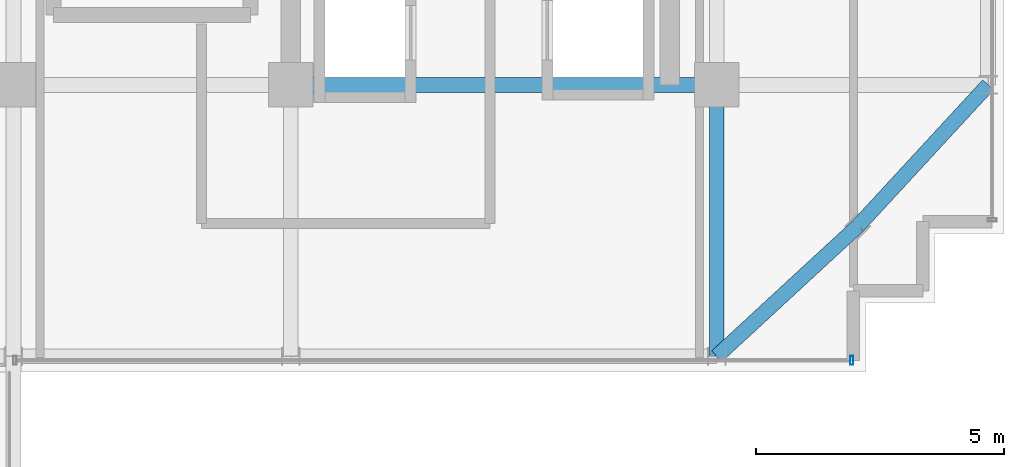
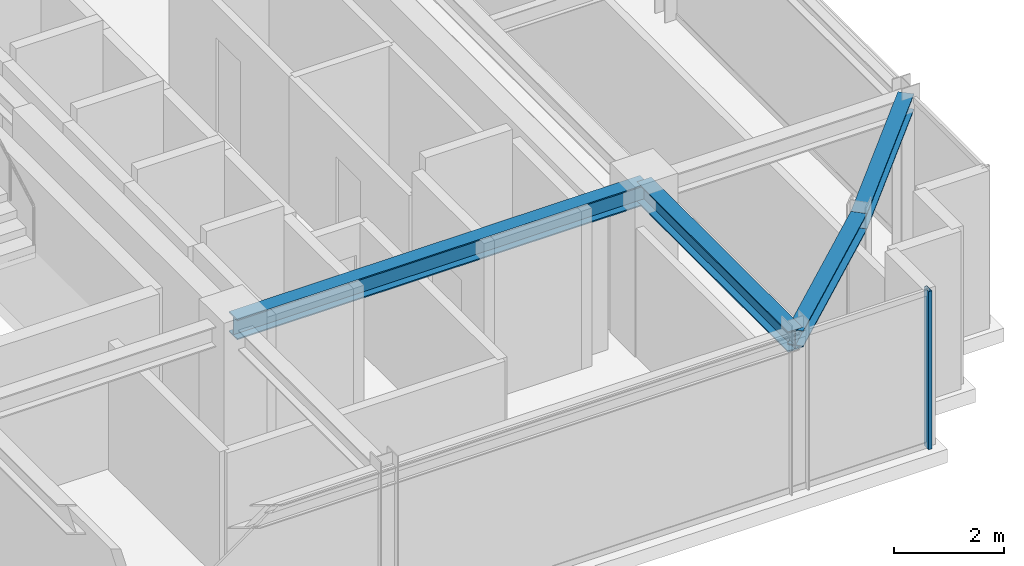
# One storey, part 12 of 31: 4 beams, 1 member, 1 element without a shape of its own.
"""IFC4 building model written with IfcOpenShell, lengths in metres."""

import ifcopenshell
import ifcopenshell.guid

model = None  # the IFC model being written
_history = None  # IfcOwnerHistory: only IFC2X3 demands one
_inside = {}  # id of a spatial element -> (the spatial element, [elements in it])
_under = {}  # id of a project, library or spatial element -> (it, [spatial elements below it])
_declared = {}  # id of a project -> (the project, [libraries it declares])
_typed = {}  # id of a type object -> (the type object, [elements of that type])
_made_of = {}  # id of a material, layer set ... -> (it, [elements and type objects made of it])


def new_model(schema):
    """Start an empty IFC model of exactly this schema.

    Asked for "IFC4X3", IfcOpenShell would pick the latest addendum, in which some entities
    have other attributes; the version numbers below select the first issue.
    IFC2X3 requires an IfcOwnerHistory on every rooted entity: one is made here for all.
    """
    global model, _history
    if schema == "IFC4X3":
        model = ifcopenshell.file(schema_version=(4, 3, 0, 0))
    else:
        model = ifcopenshell.file(schema=schema)
    _inside.clear()
    _under.clear()
    _declared.clear()
    _typed.clear()
    _made_of.clear()
    _history = None
    if model.schema == "IFC2X3":
        org = make("IfcOrganization", Name="unknown")
        user = make(
            "IfcPersonAndOrganization",
            ThePerson=make("IfcPerson", FamilyName="unknown"),
            TheOrganization=org,
        )
        app = make(
            "IfcApplication",
            ApplicationDeveloper=org,
            Version="unknown",
            ApplicationFullName="unknown",
            ApplicationIdentifier="unknown",
        )
        _history = make(
            "IfcOwnerHistory",
            OwningUser=user,
            OwningApplication=app,
            ChangeAction="ADDED",
            CreationDate=0,
        )
    return model


def make(cls, **values):
    """One entity of the class cls with the attributes given. An attribute that is None is left unset."""
    return model.create_entity(
        cls, **{name: value for name, value in values.items() if value is not None}
    )


def rooted(cls, **values):
    """An entity with a GlobalId (a new one), such as an element, a storey or a relation."""
    return make(cls, GlobalId=ifcopenshell.guid.new(), OwnerHistory=_history, **values)


def si_unit(unit_type, name, prefix=None):
    """IfcSIUnit, for example si_unit("LENGTHUNIT", "METRE", prefix="MILLI")."""
    return make("IfcSIUnit", UnitType=unit_type, Prefix=prefix, Name=name)


def assignment(units):
    """IfcUnitAssignment: the units of a project."""
    return None if units is None else make("IfcUnitAssignment", Units=units)


def point(xyz):
    """IfcCartesianPoint."""
    return None if xyz is None else make("IfcCartesianPoint", Coordinates=xyz)


def direction(xyz):
    """IfcDirection."""
    return None if xyz is None else make("IfcDirection", DirectionRatios=xyz)


def frame(location, z_axis=None, x_axis=None):
    """IfcAxis2Placement3D, a coordinate frame: its origin and axes. An axis left out is left unset."""
    return make(
        "IfcAxis2Placement3D",
        Location=point(location),
        Axis=direction(z_axis),
        RefDirection=direction(x_axis),
    )


def frame_2d(location, x_axis=None):
    """IfcAxis2Placement2D, a coordinate frame in the plane: its origin and x axis."""
    return make(
        "IfcAxis2Placement2D", Location=point(location), RefDirection=direction(x_axis)
    )


def origin():
    """The frame at (0, 0, 0) with its axes left unset."""
    return frame((0.0, 0.0, 0.0))


def origin_2d():
    """The frame at (0, 0) in the plane with its x axis left unset."""
    return frame_2d((0.0, 0.0))


def place(relative_to, where):
    """IfcLocalPlacement: puts the frame where relative to a parent placement (None: the world)."""
    return make(
        "IfcLocalPlacement", PlacementRelTo=relative_to, RelativePlacement=where
    )


def context(
    kind, dimensions, precision=None, world=None, true_north=None, identifier=None
):
    """IfcGeometricRepresentationContext, for example the 3D "Model" context."""
    return make(
        "IfcGeometricRepresentationContext",
        ContextIdentifier=identifier,
        ContextType=kind,
        CoordinateSpaceDimension=dimensions,
        Precision=precision,
        WorldCoordinateSystem=world,
        TrueNorth=true_north,
    )


def subcontext(parent, identifier, kind, view, scale=None):
    """IfcGeometricRepresentationSubContext, for example "Body" below "Model"."""
    return make(
        "IfcGeometricRepresentationSubContext",
        ContextIdentifier=identifier,
        ContextType=kind,
        ParentContext=parent,
        TargetScale=scale,
        TargetView=view,
    )


def project(units=None, contexts=None):
    """IfcProject with its units and contexts."""
    return rooted(
        "IfcProject",
        Name="project",
        RepresentationContexts=contexts,
        UnitsInContext=assignment(units),
    )


def spatial(cls, under=None, at=None, **own):
    """A site, building, storey or space (cls), placed at a placement, below another one or the project."""
    s = rooted(cls, ObjectPlacement=at, **own)
    if under is not None:
        _under.setdefault(under.id(), (under, []))[1].append(s)
    return s


def profile(cls, at=None, kind="AREA", **sizes):
    """A parametric profile (cls). Its sizes go by their IFC names, for example OverallWidth=200.0."""
    return make(cls, ProfileType=kind, Position=at, **sizes)


def hollow_rectangle(**sizes):
    """IfcRectangleHollowProfileDef."""
    return profile("IfcRectangleHollowProfileDef", **sizes)


def i_section(**sizes):
    """IfcIShapeProfileDef."""
    return profile("IfcIShapeProfileDef", **sizes)


def extrude(swept, where, along, depth):
    """IfcExtrudedAreaSolid: the profile swept, set in the frame where, extruded along a direction by depth."""
    return make(
        "IfcExtrudedAreaSolid",
        SweptArea=swept,
        Position=where,
        ExtrudedDirection=direction(along),
        Depth=depth,
    )


def shape(context_of_items, identifier, shape_type, items):
    """IfcShapeRepresentation: the items that make up one representation, for example the "Body"."""
    return make(
        "IfcShapeRepresentation",
        ContextOfItems=context_of_items,
        RepresentationIdentifier=identifier,
        RepresentationType=shape_type,
        Items=items,
    )


def source(mapping_origin, context_of_items, identifier, shape_type, items):
    """IfcRepresentationMap: a shape defined once, which mapped items show again and again."""
    return make(
        "IfcRepresentationMap",
        MappingOrigin=mapping_origin,
        MappedRepresentation=shape(context_of_items, identifier, shape_type, items),
    )


def transform(
    local_origin,
    x_axis=None,
    y_axis=None,
    z_axis=None,
    scale=None,
    scale2=None,
    scale3=None,
    uniform=True,
):
    """IfcCartesianTransformationOperator3D, or its non-uniform kind. x_axis, y_axis, z_axis: its Axis1, 2, 3."""
    if uniform:
        return make(
            "IfcCartesianTransformationOperator3D",
            Axis1=direction(x_axis),
            Axis2=direction(y_axis),
            LocalOrigin=point(local_origin),
            Scale=scale,
            Axis3=direction(z_axis),
        )
    return make(
        "IfcCartesianTransformationOperator3DnonUniform",
        Axis1=direction(x_axis),
        Axis2=direction(y_axis),
        LocalOrigin=point(local_origin),
        Scale=scale,
        Axis3=direction(z_axis),
        Scale2=scale2,
        Scale3=scale3,
    )


def mapped(mapping_source, mapping_target):
    """IfcMappedItem: shows the shape of a source again, moved by a transform."""
    return make(
        "IfcMappedItem", MappingSource=mapping_source, MappingTarget=mapping_target
    )


def material(Name=None, Category=None):
    """IfcMaterial."""
    return make("IfcMaterial", Name=Name, Category=Category)


def material_profile(
    of_material, cross_section, Name=None, Category=None, Priority=None
):
    """IfcMaterialProfile: a cross section and its material."""
    return make(
        "IfcMaterialProfile",
        Name=Name,
        Material=of_material,
        Profile=cross_section,
        Priority=Priority,
        Category=Category,
    )


def profile_set(profiles, Name=None, composite=None):
    """IfcMaterialProfileSet."""
    return make(
        "IfcMaterialProfileSet",
        Name=Name,
        MaterialProfiles=profiles,
        CompositeProfile=composite,
    )


def made_of(thing, what):
    """Note that an element or type object is made of a material, layer set ...; save() writes the relation."""
    if what is not None:
        _made_of.setdefault(what.id(), (what, []))[1].append(thing)
    return thing


def type_object(cls, material=None, **own):
    """A type object (cls), such as IfcWallType, which elements share."""
    return made_of(rooted(cls, **own), material)


def element(
    cls,
    number,
    at=None,
    inside=None,
    cuts=None,
    type_object=None,
    material=None,
    context=None,
    identifier="Body",
    shape_type=None,
    held_by="IfcProductDefinitionShape",
    body=None,
    shapes=None,
    **own,
):
    """One element of the class cls, such as IfcWall. Its Tag is "e" and its number.

    at: its placement. inside: the storey or other place that contains it. cuts: it is an
    opening in that element (IfcRelVoidsElement). A single representation is given by context,
    identifier, shape_type and body (its items); several are given by shapes. held_by: the class
    of the entity that holds the representations. save() writes the other relations.
    """
    e = rooted(cls, Tag="e%d" % number, ObjectPlacement=at, **own)
    if body is not None:
        shapes = [shape(context, identifier, shape_type, body)]
    if shapes is not None:
        e.Representation = make(held_by, Representations=shapes)
    if inside is not None:
        _inside.setdefault(inside.id(), (inside, []))[1].append(e)
    if cuts is not None:
        rooted(
            "IfcRelVoidsElement", RelatingBuildingElement=cuts, RelatedOpeningElement=e
        )
    if type_object is not None:
        _typed.setdefault(type_object.id(), (type_object, []))[1].append(e)
    return made_of(e, material)


def aggregate(whole, parts):
    """IfcRelAggregates: a whole, such as a stair, and the parts it consists of."""
    return rooted("IfcRelAggregates", RelatingObject=whole, RelatedObjects=parts)


def save(model, path):
    """Write the relations noted so far, then the file.

    IfcRelAggregates (storeys below a building ...), IfcRelContainedInSpatialStructure (elements
    in a storey), IfcRelDefinesByType, IfcRelAssociatesMaterial and IfcRelDeclares: one each for
    every whole, place, type object, material and project.
    """
    for whole, parts in _under.values():
        aggregate(whole, parts)
    for where, things in _inside.values():
        rooted(
            "IfcRelContainedInSpatialStructure",
            RelatedElements=things,
            RelatingStructure=where,
        )
    for kind, things in _typed.values():
        rooted("IfcRelDefinesByType", RelatedObjects=things, RelatingType=kind)
    for what, things in _made_of.values():
        rooted("IfcRelAssociatesMaterial", RelatedObjects=things, RelatingMaterial=what)
    for by, libraries in _declared.values():
        rooted("IfcRelDeclares", RelatingContext=by, RelatedDefinitions=libraries)
    model.write(path)


model = new_model("IFC4")

# Units and contexts
model_context = context("Model", 3, precision=1e-05, world=origin(), true_north=direction((0.0, 1.0)))
body_context = subcontext(model_context, "Body", "Model", "MODEL_VIEW")
ifc_project = project(units=[si_unit("LENGTHUNIT", "METRE"), si_unit("AREAUNIT", "SQUARE_METRE"), si_unit("VOLUMEUNIT", "CUBIC_METRE"), si_unit("PLANEANGLEUNIT", "RADIAN"), si_unit("MASSUNIT", "GRAM", prefix="KILO")], contexts=[model_context])

# Site, building, storey
site_placement = place(None, origin())
site = spatial("IfcSite", under=ifc_project, at=site_placement, CompositionType="ELEMENT")
building_placement = place(site_placement, origin())
building = spatial("IfcBuilding", under=site, at=building_placement, Name="Nahalor Promenade Grand Hotel", CompositionType="ELEMENT")
storey_placement = place(building_placement, frame((0.0, 0.0, 323.35009765625)))
storey = spatial("IfcBuildingStorey", under=building, at=storey_placement, Name="L83", CompositionType="ELEMENT", Elevation=323.35009765625)

# Beams
ifc_material_1 = material(Name="Steel S355JR", Category="steel")
ifc_material_profile_1 = material_profile(ifc_material_1, i_section(OverallWidth=0.3, OverallDepth=0.45, WebThickness=0.014, FlangeThickness=0.026, at=origin_2d()), Name="HEB 450")
ifc_profile_set_1 = profile_set([ifc_material_profile_1], Name="Steel S355JR")
beam_type_1 = type_object("IfcBeamType", Name="Beam-Girder-HEB450", PredefinedType="BEAM", material=ifc_profile_set_1)
shared_shape_1 = source(origin(), body_context, "Body", "SweptSolid", [
    extrude(i_section(OverallWidth=0.3, OverallDepth=0.45, WebThickness=0.014, FlangeThickness=0.026, at=origin_2d()), origin(), (0.0, 0.0, 1.0), 8.60009765625),
])
beam_1_placement = place(storey_placement, frame((8.39990234375, -17.0, 3.27490234375), z_axis=(1.0, 0.0, 0.0), x_axis=(0.0, 1.0, 0.0)))
element("IfcBeam", 1, at=beam_1_placement, inside=storey, type_object=beam_type_1, Name="BM-L83-GX-0-5", PredefinedType="BEAM", context=body_context, shape_type="MappedRepresentation", body=[
    mapped(shared_shape_1, transform((0.0, 0.0, 0.0), scale=1.0)),
])
shared_shape_2 = source(origin(), body_context, "Body", "SweptSolid", [
    extrude(i_section(OverallWidth=0.3, OverallDepth=0.45, WebThickness=0.014, FlangeThickness=0.026, at=origin_2d()), origin(), (0.0, 0.0, 1.0), 5.47998046875),
])
beam_2_placement = place(storey_placement, frame((17.0, -22.47998046875, 3.27490234375), z_axis=(0.0, 1.0, 0.0), x_axis=(-1.0, 0.0, 0.0)))
element("IfcBeam", 2, at=beam_2_placement, inside=storey, type_object=beam_type_1, Name="BM-L83-GY-5-0", PredefinedType="BEAM", context=body_context, shape_type="MappedRepresentation", body=[
    mapped(shared_shape_2, transform((0.0, 0.0, 0.0), scale=1.0)),
])
ifc_material_profile_2 = material_profile(ifc_material_1, i_section(OverallWidth=0.3, OverallDepth=0.36, WebThickness=0.0125, FlangeThickness=0.0225, at=origin_2d()), Name="HEB 360")
ifc_profile_set_2 = profile_set([ifc_material_profile_2], Name="Steel S355JR")
beam_type_2 = type_object("IfcBeamType", Name="Beam-Spandrel-HEB360", PredefinedType="SPANDREL", material=ifc_profile_set_2)
shared_shape_3 = source(origin(), body_context, "Body", "SweptSolid", [
    extrude(i_section(OverallWidth=0.3, OverallDepth=0.36, WebThickness=0.0125, FlangeThickness=0.0225, at=origin_2d()), origin(), (0.0, 0.0, 1.0), 3.878173828125),
])
for number, where, z_axis, x_axis, name in (
    (3, (17.0, -22.47998046875, 3.31982421875), (0.73492893846, 0.678144125843, 0.0), (-0.678144125843, 0.73492893846, 0.0), "BM-L83-SPC-SE-1"),
    (4, (19.85009765625, -19.85009765625, 3.31982421875), (0.678144125843, 0.73492893846, 0.0), (-0.73492893846, 0.678144125843, 0.0), "BM-L83-SPC-SE-2"),
):
    element("IfcBeam", number, at=place(storey_placement, frame(where, z_axis=z_axis, x_axis=x_axis)), inside=storey, type_object=beam_type_2, Name=name, PredefinedType="SPANDREL", context=body_context, shape_type="MappedRepresentation", body=[
        mapped(shared_shape_3, transform((0.0, 0.0, 0.0), scale=1.0)),
    ])

# Curtain wall, member
ifc_material_2 = material(Name="Anodised Bronze Aluminium EN AW-6063 T6", Category="aluminium")
curtain_wall_type = type_object("IfcCurtainWallType", Name="CW2 Typical Hotel Flush Bronze Unitised Curtain Wall", PredefinedType="USERDEFINED", material=ifc_material_2)
curtain_wall_placement = place(storey_placement, origin())
curtain_wall = element("IfcCurtainWall", 5, at=curtain_wall_placement, inside=storey, type_object=curtain_wall_type, Name="L83 Curtain Wall CW-L83-S-3", ObjectType="UNITISED_CURTAIN_WALL", PredefinedType="USERDEFINED")
ifc_material_profile_3 = material_profile(ifc_material_2, hollow_rectangle(XDim=0.065, YDim=0.18, WallThickness=0.004, at=origin_2d()), Name="CWM 65x180x4")
ifc_profile_set_3 = profile_set([ifc_material_profile_3], Name="Anodised Bronze Aluminium EN AW-6063 T6")
member_type = type_object("IfcMemberType", Name="CWM2 Typical Bronze Mullion 65x180", PredefinedType="MULLION", material=ifc_profile_set_3)
shared_shape_4 = source(origin(), body_context, "Body", "SweptSolid", [
    extrude(hollow_rectangle(XDim=0.065, YDim=0.18, WallThickness=0.004, at=origin_2d()), origin(), (0.0, 0.0, 1.0), 3.5),
])
member_placement = place(storey_placement, frame((19.7275390625, -22.56005859375, 0.0), z_axis=(0.0, 0.0, 1.0), x_axis=(1.0, 0.0, 0.0)))
member = element("IfcMember", 6, at=member_placement, type_object=member_type, Name="CW-L83-S-3 Mullion 1", PredefinedType="MULLION", context=body_context, shape_type="MappedRepresentation", body=[
    mapped(shared_shape_4, transform((0.0, 0.0, 0.0), scale=1.0)),
])
aggregate(curtain_wall, [member])

save(model, "model.ifc")
